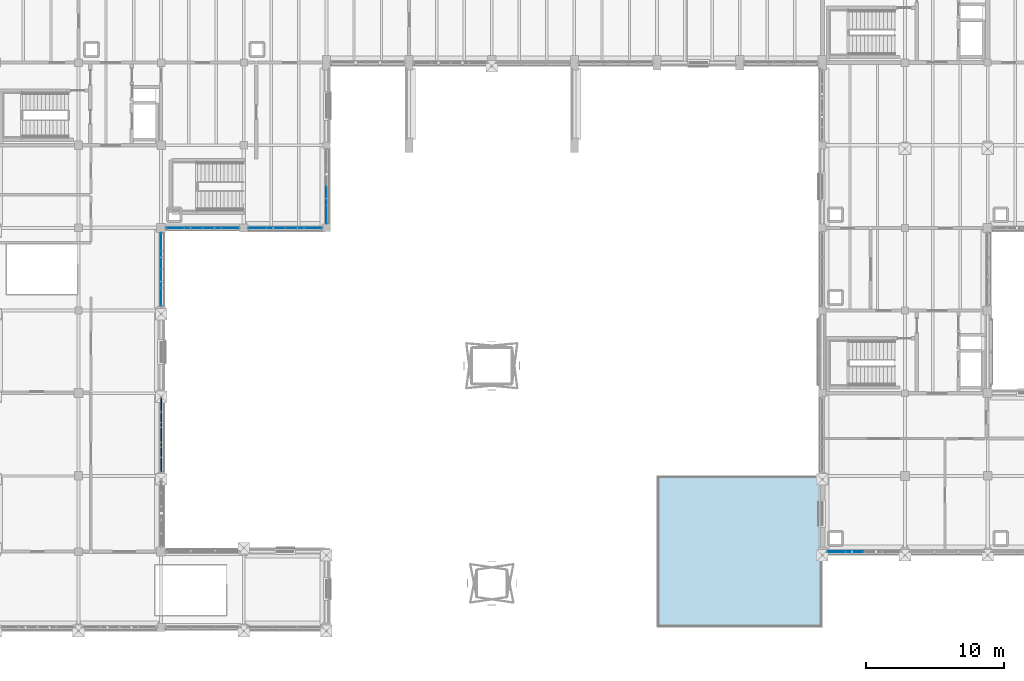
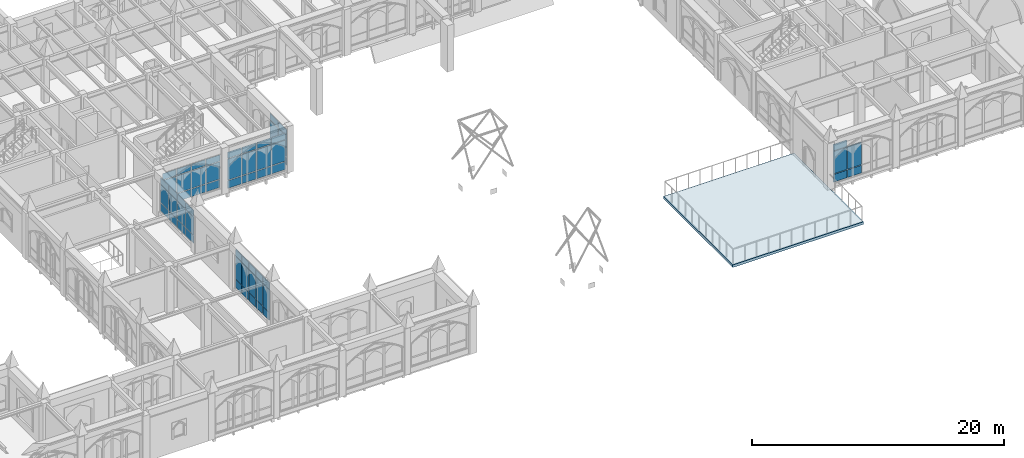
# One storey, part 92 of 143: 62 plates, 1 slab, 6 elements without a shape of their own.
"""IFC4 building model written with IfcOpenShell, lengths in metres."""

from ifc_helpers import new_model, si_unit, direction, frame, origin, origin_2d, place, context, subcontext, project, spatial, polyline, rectangle, outline, extrude, material, layer, layer_set, type_object, element, aggregate, save


model = new_model("IFC4")

# Units and contexts
model_context = context("Model", 3, precision=1e-05, world=origin(), true_north=direction((0.0, 1.0)))
body_context = subcontext(model_context, "Body", "Model", "MODEL_VIEW")
ifc_project = project(units=[si_unit("LENGTHUNIT", "METRE"), si_unit("AREAUNIT", "SQUARE_METRE"), si_unit("VOLUMEUNIT", "CUBIC_METRE"), si_unit("PLANEANGLEUNIT", "RADIAN"), si_unit("MASSUNIT", "GRAM", prefix="KILO")], contexts=[model_context])

# Site, building, storey
site_placement = place(None, origin())
site = spatial("IfcSite", under=ifc_project, at=site_placement, CompositionType="ELEMENT")
building_placement = place(site_placement, origin())
building = spatial("IfcBuilding", under=site, at=building_placement, Name="Cumevento Cable Car Station", CompositionType="ELEMENT")
storey_placement = place(building_placement, frame((0.0, 0.0, 9.0)))
storey = spatial("IfcBuildingStorey", under=building, at=storey_placement, Name="L03", CompositionType="ELEMENT", Elevation=9.0)

# Curtain wall, plates
ifc_material_1 = material(Name="Anodised Bronze Aluminium AW-6063-T6", Category="aluminium")
ifc_layer_1 = layer(ifc_material_1, 0.196044921875)
ifc_layer_set_1 = layer_set([ifc_layer_1], Name="Anodised Bronze Aluminium AW-6063-T6")
curtain_wall_type_1 = type_object("IfcCurtainWallType", Name="Lancet Curtain Wall CW-07 1290", PredefinedType="NOTDEFINED", material=ifc_layer_set_1)
curtain_wall_1_placement = place(storey_placement, origin())
curtain_wall_1 = element("IfcCurtainWall", 1, at=curtain_wall_1_placement, inside=storey, type_object=curtain_wall_type_1, Name="Lancet Curtain Wall CW-07 L03 #86", PredefinedType="NOTDEFINED")
ifc_material_2 = material(Name="Solar Control Laminated Double Glazing", Category="glass")
ifc_layer_2 = layer(ifc_material_2, 0.030029296875)
ifc_layer_set_2 = layer_set([ifc_layer_2], Name="Solar Control Laminated Double Glazing")
plate_type_1 = type_object("IfcPlateType", Name="Glazed Panel CWP-03 30", PredefinedType="CURTAIN_PANEL", material=ifc_layer_set_2)
plate_1_placement = place(storey_placement, frame((70.0, 31.98681640625, 0.525146484375), z_axis=(0.0, 0.0, 1.0), x_axis=(0.0, -1.0, 0.0)))
plate_1 = element("IfcPlate", 2, at=plate_1_placement, type_object=plate_type_1, Name="CW-07 panel 1.1", PredefinedType="CURTAIN_PANEL", context=body_context, shape_type="SweptSolid", body=[
    extrude(rectangle(XDim=1.246337890625, YDim=0.030029296875, at=origin_2d()), origin(), (0.0, 0.0, 1.0), 0.75244140625),
])
plate_2_placement = place(storey_placement, frame((70.0, 31.98681640625, 1.342529296875), z_axis=(0.0, 0.0, 1.0), x_axis=(0.0, -1.0, 0.0)))
plate_2 = element("IfcPlate", 3, at=plate_2_placement, type_object=plate_type_1, Name="CW-07 panel 1.2", PredefinedType="CURTAIN_PANEL", context=body_context, shape_type="SweptSolid", body=[
    extrude(rectangle(XDim=1.246337890625, YDim=0.030029296875, at=origin_2d()), origin(), (0.0, 0.0, 1.0), 1.73388671875),
])
plate_3_placement = place(storey_placement, frame((70.0, 31.98681640625, 3.1416015625), z_axis=(0.0, 0.0, 1.0), x_axis=(0.0, -1.0, 0.0)))
plate_3 = element("IfcPlate", 4, at=plate_3_placement, type_object=plate_type_1, Name="CW-07 panel 1.3", PredefinedType="CURTAIN_PANEL", context=body_context, shape_type="SweptSolid", body=[
    extrude(rectangle(XDim=1.246337890625, YDim=0.030029296875, at=origin_2d()), origin(), (0.0, 0.0, 1.0), 0.6025390625),
])
plate_4_placement = place(storey_placement, frame((70.0, 30.659423828125, 0.525146484375), z_axis=(0.0, 0.0, 1.0), x_axis=(0.0, -1.0, 0.0)))
plate_4 = element("IfcPlate", 5, at=plate_4_placement, type_object=plate_type_1, Name="CW-07 panel 2.1", PredefinedType="CURTAIN_PANEL", context=body_context, shape_type="SweptSolid", body=[
    extrude(rectangle(XDim=1.27880859375, YDim=0.030029296875, at=origin_2d()), origin(), (0.0, 0.0, 1.0), 0.75244140625),
])
plate_5_placement = place(storey_placement, frame((70.0, 30.659423828125, 1.342529296875), z_axis=(0.0, 0.0, 1.0), x_axis=(0.0, -1.0, 0.0)))
plate_5 = element("IfcPlate", 6, at=plate_5_placement, type_object=plate_type_1, Name="CW-07 panel 2.2", PredefinedType="CURTAIN_PANEL", context=body_context, shape_type="SweptSolid", body=[
    extrude(rectangle(XDim=1.27880859375, YDim=0.030029296875, at=origin_2d()), origin(), (0.0, 0.0, 1.0), 1.73388671875),
])
plate_6_placement = place(storey_placement, frame((70.0, 30.659423828125, 3.1416015625), z_axis=(0.0, 0.0, 1.0), x_axis=(0.0, -1.0, 0.0)))
plate_6 = element("IfcPlate", 7, at=plate_6_placement, type_object=plate_type_1, Name="CW-07 panel 2.3", PredefinedType="CURTAIN_PANEL", context=body_context, shape_type="SweptSolid", body=[
    extrude(rectangle(XDim=1.27880859375, YDim=0.030029296875, at=origin_2d()), origin(), (0.0, 0.0, 1.0), 0.6025390625),
])
plate_7_placement = place(storey_placement, frame((70.0, 29.315673828125, 0.525146484375), z_axis=(0.0, 0.0, 1.0), x_axis=(0.0, -1.0, 0.0)))
plate_7 = element("IfcPlate", 8, at=plate_7_placement, type_object=plate_type_1, Name="CW-07 panel 3.1", PredefinedType="CURTAIN_PANEL", context=body_context, shape_type="SweptSolid", body=[
    extrude(rectangle(XDim=1.27880859375, YDim=0.030029296875, at=origin_2d()), origin(), (0.0, 0.0, 1.0), 0.75244140625),
])
plate_8_placement = place(storey_placement, frame((70.0, 29.315673828125, 1.342529296875), z_axis=(0.0, 0.0, 1.0), x_axis=(0.0, -1.0, 0.0)))
plate_8 = element("IfcPlate", 9, at=plate_8_placement, type_object=plate_type_1, Name="CW-07 panel 3.2", PredefinedType="CURTAIN_PANEL", context=body_context, shape_type="SweptSolid", body=[
    extrude(rectangle(XDim=1.27880859375, YDim=0.030029296875, at=origin_2d()), origin(), (0.0, 0.0, 1.0), 1.73388671875),
])
plate_9_placement = place(storey_placement, frame((70.0, 29.315673828125, 3.1416015625), z_axis=(0.0, 0.0, 1.0), x_axis=(0.0, -1.0, 0.0)))
plate_9 = element("IfcPlate", 10, at=plate_9_placement, type_object=plate_type_1, Name="CW-07 panel 3.3", PredefinedType="CURTAIN_PANEL", context=body_context, shape_type="SweptSolid", body=[
    extrude(rectangle(XDim=1.27880859375, YDim=0.030029296875, at=origin_2d()), origin(), (0.0, 0.0, 1.0), 0.6025390625),
])
plate_10_placement = place(storey_placement, frame((70.0, 27.988037109375, 0.525146484375), z_axis=(0.0, 0.0, 1.0), x_axis=(0.0, -1.0, 0.0)))
plate_10 = element("IfcPlate", 11, at=plate_10_placement, type_object=plate_type_1, Name="CW-07 panel 4.1", PredefinedType="CURTAIN_PANEL", context=body_context, shape_type="SweptSolid", body=[
    extrude(rectangle(XDim=1.246337890625, YDim=0.030029296875, at=origin_2d()), origin(), (0.0, 0.0, 1.0), 0.75244140625),
])
plate_11_placement = place(storey_placement, frame((70.0, 27.988037109375, 1.342529296875), z_axis=(0.0, 0.0, 1.0), x_axis=(0.0, -1.0, 0.0)))
plate_11 = element("IfcPlate", 12, at=plate_11_placement, type_object=plate_type_1, Name="CW-07 panel 4.2", PredefinedType="CURTAIN_PANEL", context=body_context, shape_type="SweptSolid", body=[
    extrude(rectangle(XDim=1.246337890625, YDim=0.030029296875, at=origin_2d()), origin(), (0.0, 0.0, 1.0), 1.73388671875),
])
plate_12_placement = place(storey_placement, frame((70.0, 27.988037109375, 3.1416015625), z_axis=(0.0, 0.0, 1.0), x_axis=(0.0, -1.0, 0.0)))
plate_12 = element("IfcPlate", 13, at=plate_12_placement, type_object=plate_type_1, Name="CW-07 panel 4.3", PredefinedType="CURTAIN_PANEL", context=body_context, shape_type="SweptSolid", body=[
    extrude(rectangle(XDim=1.246337890625, YDim=0.030029296875, at=origin_2d()), origin(), (0.0, 0.0, 1.0), 0.6025390625),
])
aggregate(curtain_wall_1, [plate_1, plate_2, plate_3, plate_4, plate_5, plate_6, plate_7, plate_8, plate_9, plate_10, plate_11, plate_12])

ifc_material_3 = material(Name="Anodised Bronze Aluminium AW-6063-T6", Category="aluminium")
ifc_layer_3 = layer(ifc_material_3, 0.201904296875)
ifc_layer_set_3 = layer_set([ifc_layer_3], Name="Anodised Bronze Aluminium AW-6063-T6")
curtain_wall_type_2 = type_object("IfcCurtainWallType", Name="Lancet Curtain Wall CW-08 1330", PredefinedType="NOTDEFINED", material=ifc_layer_set_3)
curtain_wall_2_placement = place(storey_placement, origin())
curtain_wall_2 = element("IfcCurtainWall", 14, at=curtain_wall_2_placement, inside=storey, type_object=curtain_wall_type_2, Name="Lancet Curtain Wall CW-08 L03 #87", PredefinedType="NOTDEFINED")
ifc_material_4 = material(Name="Solar Control Laminated Double Glazing", Category="glass")
ifc_layer_4 = layer(ifc_material_4, 0.033935546875)
ifc_layer_set_4 = layer_set([ifc_layer_4], Name="Solar Control Laminated Double Glazing")
plate_type_2 = type_object("IfcPlateType", Name="Glazed Panel CWP-04 34", PredefinedType="CURTAIN_PANEL", material=ifc_layer_set_4)
plate_13_placement = place(storey_placement, frame((75.011962890625, 33.0, 0.5849609375), z_axis=(0.0, 0.0, 1.0), x_axis=(-1.0, 0.0, 0.0)))
plate_13 = element("IfcPlate", 15, at=plate_13_placement, type_object=plate_type_2, Name="CW-08 panel 1.1", PredefinedType="CURTAIN_PANEL", context=body_context, shape_type="SweptSolid", body=[
    extrude(rectangle(XDim=1.246337890625, YDim=0.033935546875, at=origin_2d()), origin(), (0.0, 0.0, 1.0), 0.75244140625),
])
plate_14_placement = place(storey_placement, frame((75.011962890625, 33.0, 1.40234375), z_axis=(0.0, 0.0, 1.0), x_axis=(-1.0, 0.0, 0.0)))
plate_14 = element("IfcPlate", 16, at=plate_14_placement, type_object=plate_type_2, Name="CW-08 panel 1.2", PredefinedType="CURTAIN_PANEL", context=body_context, shape_type="SweptSolid", body=[
    extrude(rectangle(XDim=1.246337890625, YDim=0.033935546875, at=origin_2d()), origin(), (0.0, 0.0, 1.0), 1.674072265625),
])
plate_15_placement = place(storey_placement, frame((75.011962890625, 33.0, 3.1416015625), z_axis=(0.0, 0.0, 1.0), x_axis=(-1.0, 0.0, 0.0)))
plate_15 = element("IfcPlate", 17, at=plate_15_placement, type_object=plate_type_2, Name="CW-08 panel 1.3", PredefinedType="CURTAIN_PANEL", context=body_context, shape_type="SweptSolid", body=[
    extrude(rectangle(XDim=1.246337890625, YDim=0.033935546875, at=origin_2d()), origin(), (0.0, 0.0, 1.0), 0.6025390625),
])
plate_16_placement = place(storey_placement, frame((73.684326171875, 33.0, 0.5849609375), z_axis=(0.0, 0.0, 1.0), x_axis=(-1.0, 0.0, 0.0)))
plate_16 = element("IfcPlate", 18, at=plate_16_placement, type_object=plate_type_2, Name="CW-08 panel 2.1", PredefinedType="CURTAIN_PANEL", context=body_context, shape_type="SweptSolid", body=[
    extrude(rectangle(XDim=1.27880859375, YDim=0.033935546875, at=origin_2d()), origin(), (0.0, 0.0, 1.0), 0.75244140625),
])
plate_17_placement = place(storey_placement, frame((73.684326171875, 33.0, 1.40234375), z_axis=(0.0, 0.0, 1.0), x_axis=(-1.0, 0.0, 0.0)))
plate_17 = element("IfcPlate", 19, at=plate_17_placement, type_object=plate_type_2, Name="CW-08 panel 2.2", PredefinedType="CURTAIN_PANEL", context=body_context, shape_type="SweptSolid", body=[
    extrude(rectangle(XDim=1.27880859375, YDim=0.033935546875, at=origin_2d()), origin(), (0.0, 0.0, 1.0), 1.674072265625),
])
plate_18_placement = place(storey_placement, frame((73.684326171875, 33.0, 3.1416015625), z_axis=(0.0, 0.0, 1.0), x_axis=(-1.0, 0.0, 0.0)))
plate_18 = element("IfcPlate", 20, at=plate_18_placement, type_object=plate_type_2, Name="CW-08 panel 2.3", PredefinedType="CURTAIN_PANEL", context=body_context, shape_type="SweptSolid", body=[
    extrude(rectangle(XDim=1.27880859375, YDim=0.033935546875, at=origin_2d()), origin(), (0.0, 0.0, 1.0), 0.6025390625),
])
plate_19_placement = place(storey_placement, frame((72.340576171875, 33.0, 0.5849609375), z_axis=(0.0, 0.0, 1.0), x_axis=(-1.0, 0.0, 0.0)))
plate_19 = element("IfcPlate", 21, at=plate_19_placement, type_object=plate_type_2, Name="CW-08 panel 3.1", PredefinedType="CURTAIN_PANEL", context=body_context, shape_type="SweptSolid", body=[
    extrude(rectangle(XDim=1.27880859375, YDim=0.033935546875, at=origin_2d()), origin(), (0.0, 0.0, 1.0), 0.75244140625),
])
plate_20_placement = place(storey_placement, frame((72.340576171875, 33.0, 1.40234375), z_axis=(0.0, 0.0, 1.0), x_axis=(-1.0, 0.0, 0.0)))
plate_20 = element("IfcPlate", 22, at=plate_20_placement, type_object=plate_type_2, Name="CW-08 panel 3.2", PredefinedType="CURTAIN_PANEL", context=body_context, shape_type="SweptSolid", body=[
    extrude(rectangle(XDim=1.27880859375, YDim=0.033935546875, at=origin_2d()), origin(), (0.0, 0.0, 1.0), 1.674072265625),
])
plate_21_placement = place(storey_placement, frame((72.340576171875, 33.0, 3.1416015625), z_axis=(0.0, 0.0, 1.0), x_axis=(-1.0, 0.0, 0.0)))
plate_21 = element("IfcPlate", 23, at=plate_21_placement, type_object=plate_type_2, Name="CW-08 panel 3.3", PredefinedType="CURTAIN_PANEL", context=body_context, shape_type="SweptSolid", body=[
    extrude(rectangle(XDim=1.27880859375, YDim=0.033935546875, at=origin_2d()), origin(), (0.0, 0.0, 1.0), 0.6025390625),
])
plate_22_placement = place(storey_placement, frame((71.01318359375, 33.0, 0.5849609375), z_axis=(0.0, 0.0, 1.0), x_axis=(-1.0, 0.0, 0.0)))
plate_22 = element("IfcPlate", 24, at=plate_22_placement, type_object=plate_type_2, Name="CW-08 panel 4.1", PredefinedType="CURTAIN_PANEL", context=body_context, shape_type="SweptSolid", body=[
    extrude(rectangle(XDim=1.246337890625, YDim=0.033935546875, at=origin_2d()), origin(), (0.0, 0.0, 1.0), 0.75244140625),
])
plate_23_placement = place(storey_placement, frame((71.01318359375, 33.0, 1.40234375), z_axis=(0.0, 0.0, 1.0), x_axis=(-1.0, 0.0, 0.0)))
plate_23 = element("IfcPlate", 25, at=plate_23_placement, type_object=plate_type_2, Name="CW-08 panel 4.2", PredefinedType="CURTAIN_PANEL", context=body_context, shape_type="SweptSolid", body=[
    extrude(rectangle(XDim=1.246337890625, YDim=0.033935546875, at=origin_2d()), origin(), (0.0, 0.0, 1.0), 1.674072265625),
])
plate_24_placement = place(storey_placement, frame((71.01318359375, 33.0, 3.1416015625), z_axis=(0.0, 0.0, 1.0), x_axis=(-1.0, 0.0, 0.0)))
plate_24 = element("IfcPlate", 26, at=plate_24_placement, type_object=plate_type_2, Name="CW-08 panel 4.3", PredefinedType="CURTAIN_PANEL", context=body_context, shape_type="SweptSolid", body=[
    extrude(rectangle(XDim=1.246337890625, YDim=0.033935546875, at=origin_2d()), origin(), (0.0, 0.0, 1.0), 0.6025390625),
])
aggregate(curtain_wall_2, [plate_13, plate_14, plate_15, plate_16, plate_17, plate_18, plate_19, plate_20, plate_21, plate_22, plate_23, plate_24])

ifc_material_5 = material(Name="Anodised Bronze Aluminium AW-6063-T6", Category="aluminium")
ifc_layer_5 = layer(ifc_material_5, 0.2080078125)
ifc_layer_set_5 = layer_set([ifc_layer_5], Name="Anodised Bronze Aluminium AW-6063-T6")
curtain_wall_type_3 = type_object("IfcCurtainWallType", Name="Lancet Curtain Wall CW-09 1370", PredefinedType="NOTDEFINED", material=ifc_layer_set_5)
curtain_wall_3_placement = place(storey_placement, origin())
curtain_wall_3 = element("IfcCurtainWall", 27, at=curtain_wall_3_placement, inside=storey, type_object=curtain_wall_type_3, Name="Lancet Curtain Wall CW-09 L03 #88", PredefinedType="NOTDEFINED")
ifc_material_6 = material(Name="Solar Control Laminated Double Glazing", Category="glass")
ifc_layer_6 = layer(ifc_material_6, 0.0380859375)
ifc_layer_set_6 = layer_set([ifc_layer_6], Name="Solar Control Laminated Double Glazing")
plate_type_3 = type_object("IfcPlateType", Name="Glazed Panel CWP-05 38", PredefinedType="CURTAIN_PANEL", material=ifc_layer_set_6)
plate_25_placement = place(storey_placement, frame((81.030517578125, 33.0, 0.22509765625), z_axis=(0.0, 0.0, 1.0), x_axis=(-1.0, 0.0, 0.0)))
plate_25 = element("IfcPlate", 28, at=plate_25_placement, type_object=plate_type_3, Name="CW-09 panel 1.1", PredefinedType="CURTAIN_PANEL", context=body_context, shape_type="SweptSolid", body=[
    extrude(rectangle(XDim=1.2587890625, YDim=0.0380859375, at=origin_2d()), origin(), (0.0, 0.0, 1.0), 0.75244140625),
])
plate_26_placement = place(storey_placement, frame((81.030517578125, 33.0, 1.04248046875), z_axis=(0.0, 0.0, 1.0), x_axis=(-1.0, 0.0, 0.0)))
plate_26 = element("IfcPlate", 29, at=plate_26_placement, type_object=plate_type_3, Name="CW-09 panel 1.2", PredefinedType="CURTAIN_PANEL", context=body_context, shape_type="SweptSolid", body=[
    extrude(rectangle(XDim=1.2587890625, YDim=0.0380859375, at=origin_2d()), origin(), (0.0, 0.0, 1.0), 2.033935546875),
])
plate_27_placement = place(storey_placement, frame((81.030517578125, 33.0, 3.1416015625), z_axis=(0.0, 0.0, 1.0), x_axis=(-1.0, 0.0, 0.0)))
plate_27 = element("IfcPlate", 30, at=plate_27_placement, type_object=plate_type_3, Name="CW-09 panel 1.3", PredefinedType="CURTAIN_PANEL", context=body_context, shape_type="SweptSolid", body=[
    extrude(rectangle(XDim=1.2587890625, YDim=0.0380859375, at=origin_2d()), origin(), (0.0, 0.0, 1.0), 0.6025390625),
])
plate_28_placement = place(storey_placement, frame((79.690673828125, 33.0, 0.22509765625), z_axis=(0.0, 0.0, 1.0), x_axis=(-1.0, 0.0, 0.0)))
plate_28 = element("IfcPlate", 31, at=plate_28_placement, type_object=plate_type_3, Name="CW-09 panel 2.1", PredefinedType="CURTAIN_PANEL", context=body_context, shape_type="SweptSolid", body=[
    extrude(rectangle(XDim=1.291259765625, YDim=0.0380859375, at=origin_2d()), origin(), (0.0, 0.0, 1.0), 0.75244140625),
])
plate_29_placement = place(storey_placement, frame((79.690673828125, 33.0, 1.04248046875), z_axis=(0.0, 0.0, 1.0), x_axis=(-1.0, 0.0, 0.0)))
plate_29 = element("IfcPlate", 32, at=plate_29_placement, type_object=plate_type_3, Name="CW-09 panel 2.2", PredefinedType="CURTAIN_PANEL", context=body_context, shape_type="SweptSolid", body=[
    extrude(rectangle(XDim=1.291259765625, YDim=0.0380859375, at=origin_2d()), origin(), (0.0, 0.0, 1.0), 2.033935546875),
])
plate_30_placement = place(storey_placement, frame((79.690673828125, 33.0, 3.1416015625), z_axis=(0.0, 0.0, 1.0), x_axis=(-1.0, 0.0, 0.0)))
plate_30 = element("IfcPlate", 33, at=plate_30_placement, type_object=plate_type_3, Name="CW-09 panel 2.3", PredefinedType="CURTAIN_PANEL", context=body_context, shape_type="SweptSolid", body=[
    extrude(rectangle(XDim=1.291259765625, YDim=0.0380859375, at=origin_2d()), origin(), (0.0, 0.0, 1.0), 0.6025390625),
])
plate_31_placement = place(storey_placement, frame((78.33447265625, 33.0, 0.22509765625), z_axis=(0.0, 0.0, 1.0), x_axis=(-1.0, 0.0, 0.0)))
plate_31 = element("IfcPlate", 34, at=plate_31_placement, type_object=plate_type_3, Name="CW-09 panel 3.1", PredefinedType="CURTAIN_PANEL", context=body_context, shape_type="SweptSolid", body=[
    extrude(rectangle(XDim=1.291259765625, YDim=0.0380859375, at=origin_2d()), origin(), (0.0, 0.0, 1.0), 0.75244140625),
])
plate_32_placement = place(storey_placement, frame((78.33447265625, 33.0, 1.04248046875), z_axis=(0.0, 0.0, 1.0), x_axis=(-1.0, 0.0, 0.0)))
plate_32 = element("IfcPlate", 35, at=plate_32_placement, type_object=plate_type_3, Name="CW-09 panel 3.2", PredefinedType="CURTAIN_PANEL", context=body_context, shape_type="SweptSolid", body=[
    extrude(rectangle(XDim=1.291259765625, YDim=0.0380859375, at=origin_2d()), origin(), (0.0, 0.0, 1.0), 2.033935546875),
])
plate_33_placement = place(storey_placement, frame((78.33447265625, 33.0, 3.1416015625), z_axis=(0.0, 0.0, 1.0), x_axis=(-1.0, 0.0, 0.0)))
plate_33 = element("IfcPlate", 36, at=plate_33_placement, type_object=plate_type_3, Name="CW-09 panel 3.3", PredefinedType="CURTAIN_PANEL", context=body_context, shape_type="SweptSolid", body=[
    extrude(rectangle(XDim=1.291259765625, YDim=0.0380859375, at=origin_2d()), origin(), (0.0, 0.0, 1.0), 0.6025390625),
])
plate_34_placement = place(storey_placement, frame((76.994384765625, 33.0, 0.22509765625), z_axis=(0.0, 0.0, 1.0), x_axis=(-1.0, 0.0, 0.0)))
plate_34 = element("IfcPlate", 37, at=plate_34_placement, type_object=plate_type_3, Name="CW-09 panel 4.1", PredefinedType="CURTAIN_PANEL", context=body_context, shape_type="SweptSolid", body=[
    extrude(rectangle(XDim=1.2587890625, YDim=0.0380859375, at=origin_2d()), origin(), (0.0, 0.0, 1.0), 0.75244140625),
])
plate_35_placement = place(storey_placement, frame((76.994384765625, 33.0, 1.04248046875), z_axis=(0.0, 0.0, 1.0), x_axis=(-1.0, 0.0, 0.0)))
plate_35 = element("IfcPlate", 38, at=plate_35_placement, type_object=plate_type_3, Name="CW-09 panel 4.2", PredefinedType="CURTAIN_PANEL", context=body_context, shape_type="SweptSolid", body=[
    extrude(rectangle(XDim=1.2587890625, YDim=0.0380859375, at=origin_2d()), origin(), (0.0, 0.0, 1.0), 2.033935546875),
])
plate_36_placement = place(storey_placement, frame((76.994384765625, 33.0, 3.1416015625), z_axis=(0.0, 0.0, 1.0), x_axis=(-1.0, 0.0, 0.0)))
plate_36 = element("IfcPlate", 39, at=plate_36_placement, type_object=plate_type_3, Name="CW-09 panel 4.3", PredefinedType="CURTAIN_PANEL", context=body_context, shape_type="SweptSolid", body=[
    extrude(rectangle(XDim=1.2587890625, YDim=0.0380859375, at=origin_2d()), origin(), (0.0, 0.0, 1.0), 0.6025390625),
])
aggregate(curtain_wall_3, [plate_25, plate_26, plate_27, plate_28, plate_29, plate_30, plate_31, plate_32, plate_33, plate_34, plate_35, plate_36])

ifc_material_7 = material(Name="Anodised Bronze Aluminium AW-6063-T6", Category="aluminium")
ifc_layer_7 = layer(ifc_material_7, 0.214111328125)
ifc_layer_set_7 = layer_set([ifc_layer_7], Name="Anodised Bronze Aluminium AW-6063-T6")
curtain_wall_type_4 = type_object("IfcCurtainWallType", Name="Lancet Curtain Wall CW-10 1410", PredefinedType="NOTDEFINED", material=ifc_layer_set_7)
curtain_wall_4_placement = place(storey_placement, origin())
curtain_wall_4 = element("IfcCurtainWall", 40, at=curtain_wall_4_placement, inside=storey, type_object=curtain_wall_type_4, Name="Lancet Curtain Wall CW-10 L03 #89", PredefinedType="NOTDEFINED")
ifc_material_8 = material(Name="Solar Control Laminated Double Glazing", Category="glass")
ifc_layer_8 = layer(ifc_material_8, 0.0419921875)
ifc_layer_set_8 = layer_set([ifc_layer_8], Name="Solar Control Laminated Double Glazing")
plate_type_4 = type_object("IfcPlateType", Name="Glazed Panel CWP-06 42", PredefinedType="CURTAIN_PANEL", material=ifc_layer_set_8)
plate_37_placement = place(storey_placement, frame((82.0, 35.328125, 0.275146484375), z_axis=(0.0, 0.0, 1.0), x_axis=(0.0, -1.0, 0.0)))
plate_37 = element("IfcPlate", 41, at=plate_37_placement, type_object=plate_type_4, Name="CW-10 panel 3.1", PredefinedType="CURTAIN_PANEL", context=body_context, shape_type="SweptSolid", body=[
    extrude(rectangle(XDim=1.3037109375, YDim=0.0419921875, at=origin_2d()), origin(), (0.0, 0.0, 1.0), 0.75244140625),
])
plate_38_placement = place(storey_placement, frame((82.0, 35.328125, 1.092529296875), z_axis=(0.0, 0.0, 1.0), x_axis=(0.0, -1.0, 0.0)))
plate_38 = element("IfcPlate", 42, at=plate_38_placement, type_object=plate_type_4, Name="CW-10 panel 3.2", PredefinedType="CURTAIN_PANEL", context=body_context, shape_type="SweptSolid", body=[
    extrude(rectangle(XDim=1.3037109375, YDim=0.0419921875, at=origin_2d()), origin(), (0.0, 0.0, 1.0), 1.98388671875),
])
plate_39_placement = place(storey_placement, frame((82.0, 35.328125, 3.1416015625), z_axis=(0.0, 0.0, 1.0), x_axis=(0.0, -1.0, 0.0)))
plate_39 = element("IfcPlate", 43, at=plate_39_placement, type_object=plate_type_4, Name="CW-10 panel 3.3", PredefinedType="CURTAIN_PANEL", context=body_context, shape_type="SweptSolid", body=[
    extrude(rectangle(XDim=1.3037109375, YDim=0.0419921875, at=origin_2d()), origin(), (0.0, 0.0, 1.0), 0.6025390625),
])
plate_40_placement = place(storey_placement, frame((82.0, 33.9755859375, 0.275146484375), z_axis=(0.0, 0.0, 1.0), x_axis=(0.0, -1.0, 0.0)))
plate_40 = element("IfcPlate", 44, at=plate_40_placement, type_object=plate_type_4, Name="CW-10 panel 4.1", PredefinedType="CURTAIN_PANEL", context=body_context, shape_type="SweptSolid", body=[
    extrude(rectangle(XDim=1.271240234375, YDim=0.0419921875, at=origin_2d()), origin(), (0.0, 0.0, 1.0), 0.75244140625),
])
plate_41_placement = place(storey_placement, frame((82.0, 33.9755859375, 1.092529296875), z_axis=(0.0, 0.0, 1.0), x_axis=(0.0, -1.0, 0.0)))
plate_41 = element("IfcPlate", 45, at=plate_41_placement, type_object=plate_type_4, Name="CW-10 panel 4.2", PredefinedType="CURTAIN_PANEL", context=body_context, shape_type="SweptSolid", body=[
    extrude(rectangle(XDim=1.271240234375, YDim=0.0419921875, at=origin_2d()), origin(), (0.0, 0.0, 1.0), 1.98388671875),
])
plate_42_placement = place(storey_placement, frame((82.0, 33.9755859375, 3.1416015625), z_axis=(0.0, 0.0, 1.0), x_axis=(0.0, -1.0, 0.0)))
plate_42 = element("IfcPlate", 46, at=plate_42_placement, type_object=plate_type_4, Name="CW-10 panel 4.3", PredefinedType="CURTAIN_PANEL", context=body_context, shape_type="SweptSolid", body=[
    extrude(rectangle(XDim=1.271240234375, YDim=0.0419921875, at=origin_2d()), origin(), (0.0, 0.0, 1.0), 0.6025390625),
])
aggregate(curtain_wall_4, [plate_37, plate_38, plate_39, plate_40, plate_41, plate_42])

ifc_material_9 = material(Name="Anodised Bronze Aluminium AW-6063-T6", Category="aluminium")
ifc_layer_9 = layer(ifc_material_9, 0.22607421875)
ifc_layer_set_9 = layer_set([ifc_layer_9], Name="Anodised Bronze Aluminium AW-6063-T6")
curtain_wall_type_5 = type_object("IfcCurtainWallType", Name="Lancet Curtain Wall CW-12 1490", PredefinedType="NOTDEFINED", material=ifc_layer_set_9)
curtain_wall_5_placement = place(storey_placement, origin())
curtain_wall_5 = element("IfcCurtainWall", 47, at=curtain_wall_5_placement, inside=storey, type_object=curtain_wall_type_5, Name="Lancet Curtain Wall CW-12 L03 #123", PredefinedType="NOTDEFINED")
ifc_material_10 = material(Name="Insulated Bronze Aluminium Spandrel Panel", Category="aluminium")
ifc_layer_10 = layer(ifc_material_10, 0.072021484375)
ifc_layer_set_10 = layer_set([ifc_layer_10], Name="Insulated Bronze Aluminium Spandrel Panel")
plate_type_5 = type_object("IfcPlateType", Name="Spandrel Panel CWP-12 72", PredefinedType="CURTAIN_PANEL", material=ifc_layer_set_10)
plate_43_placement = place(storey_placement, frame((120.340576171875, 9.5, 0.375), z_axis=(0.0, 0.0, 1.0), x_axis=(-1.0, 0.0, 0.0)))
plate_43 = element("IfcPlate", 48, at=plate_43_placement, type_object=plate_type_5, Name="CW-12 panel 3.1", PredefinedType="CURTAIN_PANEL", context=body_context, shape_type="SweptSolid", body=[
    extrude(rectangle(XDim=1.27880859375, YDim=0.072021484375, at=origin_2d()), origin(), (0.0, 0.0, 1.0), 0.75244140625),
])
plate_44_placement = place(storey_placement, frame((120.340576171875, 9.5, 1.192626953125), z_axis=(0.0, 0.0, 1.0), x_axis=(-1.0, 0.0, 0.0)))
plate_44 = element("IfcPlate", 49, at=plate_44_placement, type_object=plate_type_5, Name="CW-12 panel 3.2", PredefinedType="CURTAIN_PANEL", context=body_context, shape_type="SweptSolid", body=[
    extrude(rectangle(XDim=1.27880859375, YDim=0.072021484375, at=origin_2d()), origin(), (0.0, 0.0, 1.0), 2.16796875),
])
plate_45_placement = place(storey_placement, frame((119.01318359375, 9.5, 0.375), z_axis=(0.0, 0.0, 1.0), x_axis=(-1.0, 0.0, 0.0)))
plate_45 = element("IfcPlate", 50, at=plate_45_placement, type_object=plate_type_5, Name="CW-12 panel 4.1", PredefinedType="CURTAIN_PANEL", context=body_context, shape_type="SweptSolid", body=[
    extrude(rectangle(XDim=1.246337890625, YDim=0.072021484375, at=origin_2d()), origin(), (0.0, 0.0, 1.0), 0.75244140625),
])
plate_46_placement = place(storey_placement, frame((119.01318359375, 9.5, 1.192626953125), z_axis=(0.0, 0.0, 1.0), x_axis=(-1.0, 0.0, 0.0)))
plate_46 = element("IfcPlate", 51, at=plate_46_placement, type_object=plate_type_5, Name="CW-12 panel 4.2", PredefinedType="CURTAIN_PANEL", context=body_context, shape_type="SweptSolid", body=[
    extrude(rectangle(XDim=1.246337890625, YDim=0.072021484375, at=origin_2d()), origin(), (0.0, 0.0, 1.0), 2.16796875),
])
plate_47_placement = place(storey_placement, frame((119.01318359375, 9.5, 3.425537109375), z_axis=(0.0, 0.0, 1.0), x_axis=(-1.0, 0.0, 0.0)))
plate_47 = element("IfcPlate", 52, at=plate_47_placement, type_object=plate_type_5, Name="CW-12 panel 4.3", PredefinedType="CURTAIN_PANEL", context=body_context, shape_type="SweptSolid", body=[
    extrude(rectangle(XDim=1.246337890625, YDim=0.072021484375, at=origin_2d()), origin(), (0.0, 0.0, 1.0), 0.6025390625),
])
aggregate(curtain_wall_5, [plate_43, plate_44, plate_45, plate_46, plate_47])

ifc_material_11 = material(Name="Anodised Bronze Aluminium AW-6063-T6", Category="aluminium")
ifc_layer_11 = layer(ifc_material_11, 0.177978515625)
ifc_layer_set_11 = layer_set([ifc_layer_11], Name="Anodised Bronze Aluminium AW-6063-T6")
curtain_wall_type_6 = type_object("IfcCurtainWallType", Name="Lancet Curtain Wall CW-04 1170", PredefinedType="NOTDEFINED", material=ifc_layer_set_11)
curtain_wall_6_placement = place(storey_placement, origin())
curtain_wall_6 = element("IfcCurtainWall", 53, at=curtain_wall_6_placement, inside=storey, type_object=curtain_wall_type_6, Name="Lancet Curtain Wall CW-04 L03 #83", PredefinedType="NOTDEFINED")
ifc_material_12 = material(Name="Insulated Bronze Aluminium Spandrel Panel", Category="aluminium")
ifc_layer_12 = layer(ifc_material_12, 0.0849609375)
ifc_layer_set_12 = layer_set([ifc_layer_12], Name="Insulated Bronze Aluminium Spandrel Panel")
plate_type_6 = type_object("IfcPlateType", Name="Spandrel Panel CWP-14 85", PredefinedType="CURTAIN_PANEL", material=ifc_layer_set_12)
plate_48_placement = place(storey_placement, frame((70.0, 20.1611328125, 0.375), z_axis=(0.0, 0.0, 1.0), x_axis=(0.0, -1.0, 0.0)))
plate_48 = element("IfcPlate", 54, at=plate_48_placement, type_object=plate_type_6, Name="CW-04 panel 1.1", PredefinedType="CURTAIN_PANEL", context=body_context, shape_type="SweptSolid", body=[
    extrude(rectangle(XDim=0.99755859375, YDim=0.0849609375, at=origin_2d()), origin(), (0.0, 0.0, 1.0), 0.75244140625),
])
plate_49_placement = place(storey_placement, frame((70.0, 20.1611328125, 1.192626953125), z_axis=(0.0, 0.0, 1.0), x_axis=(0.0, -1.0, 0.0)))
plate_49 = element("IfcPlate", 55, at=plate_49_placement, type_object=plate_type_6, Name="CW-04 panel 1.2", PredefinedType="CURTAIN_PANEL", context=body_context, shape_type="SweptSolid", body=[
    extrude(rectangle(XDim=0.99755859375, YDim=0.0849609375, at=origin_2d()), origin(), (0.0, 0.0, 1.0), 2.16796875),
])
plate_50_placement = place(storey_placement, frame((70.0, 20.1611328125, 3.425537109375), z_axis=(0.0, 0.0, 1.0), x_axis=(0.0, -1.0, 0.0)))
plate_50 = element("IfcPlate", 56, at=plate_50_placement, type_object=plate_type_6, Name="CW-04 panel 1.3", PredefinedType="CURTAIN_PANEL", context=body_context, shape_type="SweptSolid", body=[
    extrude(rectangle(XDim=0.99755859375, YDim=0.0849609375, at=origin_2d()), origin(), (0.0, 0.0, 1.0), 0.6025390625),
])
plate_51_placement = place(storey_placement, frame((70.0, 19.08251953125, 0.375), z_axis=(0.0, 0.0, 1.0), x_axis=(0.0, -1.0, 0.0)))
plate_51 = element("IfcPlate", 57, at=plate_51_placement, type_object=plate_type_6, Name="CW-04 panel 2.1", PredefinedType="CURTAIN_PANEL", context=body_context, shape_type="SweptSolid", body=[
    extrude(rectangle(XDim=1.030029296875, YDim=0.0849609375, at=origin_2d()), origin(), (0.0, 0.0, 1.0), 0.75244140625),
])
plate_52_placement = place(storey_placement, frame((70.0, 19.08251953125, 1.192626953125), z_axis=(0.0, 0.0, 1.0), x_axis=(0.0, -1.0, 0.0)))
plate_52 = element("IfcPlate", 58, at=plate_52_placement, type_object=plate_type_6, Name="CW-04 panel 2.2", PredefinedType="CURTAIN_PANEL", context=body_context, shape_type="SweptSolid", body=[
    extrude(rectangle(XDim=1.030029296875, YDim=0.0849609375, at=origin_2d()), origin(), (0.0, 0.0, 1.0), 2.16796875),
])
plate_53_placement = place(storey_placement, frame((70.0, 19.08251953125, 3.425537109375), z_axis=(0.0, 0.0, 1.0), x_axis=(0.0, -1.0, 0.0)))
plate_53 = element("IfcPlate", 59, at=plate_53_placement, type_object=plate_type_6, Name="CW-04 panel 2.3", PredefinedType="CURTAIN_PANEL", context=body_context, shape_type="SweptSolid", body=[
    extrude(rectangle(XDim=1.030029296875, YDim=0.0849609375, at=origin_2d()), origin(), (0.0, 0.0, 1.0), 0.6025390625),
])
plate_54_placement = place(storey_placement, frame((70.0, 17.987548828125, 0.375), z_axis=(0.0, 0.0, 1.0), x_axis=(0.0, -1.0, 0.0)))
plate_54 = element("IfcPlate", 60, at=plate_54_placement, type_object=plate_type_6, Name="CW-04 panel 3.1", PredefinedType="CURTAIN_PANEL", context=body_context, shape_type="SweptSolid", body=[
    extrude(rectangle(XDim=1.030029296875, YDim=0.0849609375, at=origin_2d()), origin(), (0.0, 0.0, 1.0), 0.75244140625),
])
plate_55_placement = place(storey_placement, frame((70.0, 17.987548828125, 1.192626953125), z_axis=(0.0, 0.0, 1.0), x_axis=(0.0, -1.0, 0.0)))
plate_55 = element("IfcPlate", 61, at=plate_55_placement, type_object=plate_type_6, Name="CW-04 panel 3.2", PredefinedType="CURTAIN_PANEL", context=body_context, shape_type="SweptSolid", body=[
    extrude(rectangle(XDim=1.030029296875, YDim=0.0849609375, at=origin_2d()), origin(), (0.0, 0.0, 1.0), 2.16796875),
])
plate_56_placement = place(storey_placement, frame((70.0, 17.987548828125, 3.425537109375), z_axis=(0.0, 0.0, 1.0), x_axis=(0.0, -1.0, 0.0)))
plate_56 = element("IfcPlate", 62, at=plate_56_placement, type_object=plate_type_6, Name="CW-04 panel 3.3", PredefinedType="CURTAIN_PANEL", context=body_context, shape_type="SweptSolid", body=[
    extrude(rectangle(XDim=1.030029296875, YDim=0.0849609375, at=origin_2d()), origin(), (0.0, 0.0, 1.0), 0.6025390625),
])
plate_57_placement = place(storey_placement, frame((70.0, 16.892578125, 0.375), z_axis=(0.0, 0.0, 1.0), x_axis=(0.0, -1.0, 0.0)))
plate_57 = element("IfcPlate", 63, at=plate_57_placement, type_object=plate_type_6, Name="CW-04 panel 4.1", PredefinedType="CURTAIN_PANEL", context=body_context, shape_type="SweptSolid", body=[
    extrude(rectangle(XDim=1.030029296875, YDim=0.0849609375, at=origin_2d()), origin(), (0.0, 0.0, 1.0), 0.75244140625),
])
plate_58_placement = place(storey_placement, frame((70.0, 16.892578125, 1.192626953125), z_axis=(0.0, 0.0, 1.0), x_axis=(0.0, -1.0, 0.0)))
plate_58 = element("IfcPlate", 64, at=plate_58_placement, type_object=plate_type_6, Name="CW-04 panel 4.2", PredefinedType="CURTAIN_PANEL", context=body_context, shape_type="SweptSolid", body=[
    extrude(rectangle(XDim=1.030029296875, YDim=0.0849609375, at=origin_2d()), origin(), (0.0, 0.0, 1.0), 2.16796875),
])
plate_59_placement = place(storey_placement, frame((70.0, 16.892578125, 3.425537109375), z_axis=(0.0, 0.0, 1.0), x_axis=(0.0, -1.0, 0.0)))
plate_59 = element("IfcPlate", 65, at=plate_59_placement, type_object=plate_type_6, Name="CW-04 panel 4.3", PredefinedType="CURTAIN_PANEL", context=body_context, shape_type="SweptSolid", body=[
    extrude(rectangle(XDim=1.030029296875, YDim=0.0849609375, at=origin_2d()), origin(), (0.0, 0.0, 1.0), 0.6025390625),
])
plate_60_placement = place(storey_placement, frame((70.0, 15.813720703125, 0.375), z_axis=(0.0, 0.0, 1.0), x_axis=(0.0, -1.0, 0.0)))
plate_60 = element("IfcPlate", 66, at=plate_60_placement, type_object=plate_type_6, Name="CW-04 panel 5.1", PredefinedType="CURTAIN_PANEL", context=body_context, shape_type="SweptSolid", body=[
    extrude(rectangle(XDim=0.99755859375, YDim=0.0849609375, at=origin_2d()), origin(), (0.0, 0.0, 1.0), 0.75244140625),
])
plate_61_placement = place(storey_placement, frame((70.0, 15.813720703125, 1.192626953125), z_axis=(0.0, 0.0, 1.0), x_axis=(0.0, -1.0, 0.0)))
plate_61 = element("IfcPlate", 67, at=plate_61_placement, type_object=plate_type_6, Name="CW-04 panel 5.2", PredefinedType="CURTAIN_PANEL", context=body_context, shape_type="SweptSolid", body=[
    extrude(rectangle(XDim=0.99755859375, YDim=0.0849609375, at=origin_2d()), origin(), (0.0, 0.0, 1.0), 2.16796875),
])
plate_62_placement = place(storey_placement, frame((70.0, 15.813720703125, 3.425537109375), z_axis=(0.0, 0.0, 1.0), x_axis=(0.0, -1.0, 0.0)))
plate_62 = element("IfcPlate", 68, at=plate_62_placement, type_object=plate_type_6, Name="CW-04 panel 5.3", PredefinedType="CURTAIN_PANEL", context=body_context, shape_type="SweptSolid", body=[
    extrude(rectangle(XDim=0.99755859375, YDim=0.0849609375, at=origin_2d()), origin(), (0.0, 0.0, 1.0), 0.6025390625),
])
aggregate(curtain_wall_6, [plate_48, plate_49, plate_50, plate_51, plate_52, plate_53, plate_54, plate_55, plate_56, plate_57, plate_58, plate_59, plate_60, plate_61, plate_62])

# Slab
ifc_material_13 = material(Name="Concrete C40/50", Category="concrete")
ifc_layer_13 = layer(ifc_material_13, 0.25)
ifc_layer_set_13 = layer_set([ifc_layer_13], Name="Concrete C40/50")
slab_type = type_object("IfcSlabType", Name="Terrace Slab SL-TER-03", PredefinedType="FLOOR", material=ifc_layer_set_13)
slab_placement = place(storey_placement, frame((0.0, 0.0, -0.25)))
element("IfcSlab", 69, at=slab_placement, inside=storey, type_object=slab_type, Name="East Cloister Garden Veranda Terrace", PredefinedType="FLOOR", context=body_context, shape_type="SweptSolid", body=[
    extrude(outline(polyline([(106.0, 4.0), (118.0, 4.0), (118.0, 15.0), (106.0, 15.0), (106.0, 4.0)])), origin(), (0.0, 0.0, 1.0), 0.25),
])

save(model, "model.ifc")
